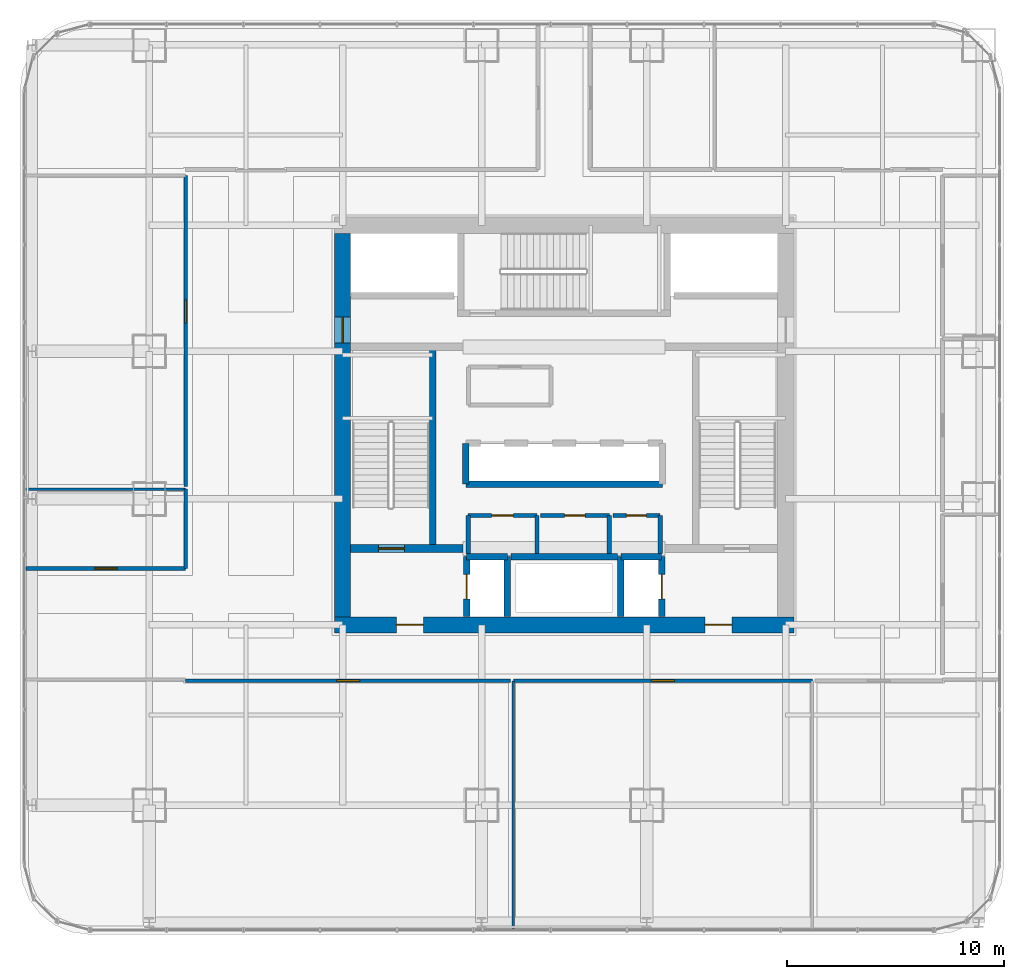
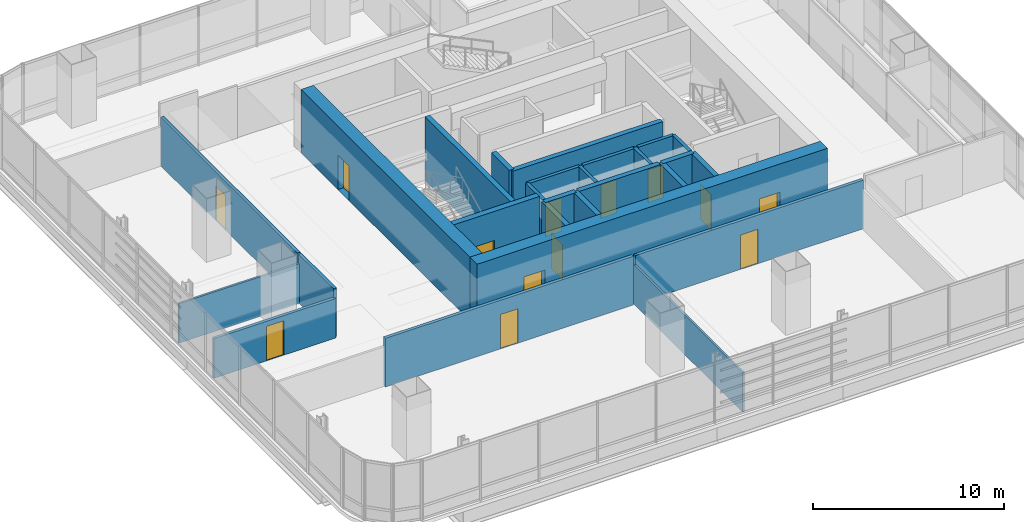
# One storey, part 28 of 36: 27 walls, 13 doors, 13 openings.
"""IFC4 building model written with IfcOpenShell, lengths in metres."""

from ifc_helpers import new_model, si_unit, direction, frame, frame_2d, origin, place, context, subcontext, project, spatial, rectangle, extrude, material, layer, layer_set, type_object, element, fill, save


model = new_model("IFC4")

# Units and contexts
model_context = context("Model", 3, precision=1e-05, world=origin(), true_north=direction((0.0, 1.0)))
body_context = subcontext(model_context, "Body", "Model", "MODEL_VIEW")
ifc_project = project(units=[si_unit("LENGTHUNIT", "METRE"), si_unit("AREAUNIT", "SQUARE_METRE"), si_unit("VOLUMEUNIT", "CUBIC_METRE"), si_unit("PLANEANGLEUNIT", "RADIAN"), si_unit("MASSUNIT", "GRAM", prefix="KILO")], contexts=[model_context])

# Site, building, storey
site_placement = place(None, origin())
site = spatial("IfcSite", under=ifc_project, at=site_placement, CompositionType="ELEMENT")
building_placement = place(site_placement, origin())
building = spatial("IfcBuilding", under=site, at=building_placement, Name="Punatoya Terracotta Tower", CompositionType="ELEMENT")
storey_placement = place(building_placement, frame((0.0, 0.0, 36.300048828125)))
storey = spatial("IfcBuildingStorey", under=building, at=storey_placement, Name="L07", CompositionType="ELEMENT", Elevation=36.300048828125)

# Wall, openings, doors
ifc_material_1 = material(Name="Concrete C60/75", Category="concrete")
ifc_layer_1 = layer(ifc_material_1, 0.75)
ifc_layer_set_1 = layer_set([ifc_layer_1], Name="Concrete C60/75")
wall_type_1 = type_object("IfcWallType", Name="WL-COR-750", PredefinedType="SHEAR", material=ifc_layer_set_1)
wall_1_placement = place(storey_placement, frame((10.574951171875, -9.199951171875, 0.0), z_axis=(0.0, 0.0, 1.0), x_axis=(-1.0, 0.0, 0.0)))
wall_1 = element("IfcWall", 1, at=wall_1_placement, inside=storey, type_object=wall_type_1, Name="L07 Core Shear Wall S", PredefinedType="SHEAR", context=body_context, shape_type="SweptSolid", body=[
    extrude(rectangle(XDim=21.14990234375, YDim=0.75, at=frame_2d((10.574951171875, 0.0))), origin(), (0.0, 0.0, 1.0), 4.050048828125),
])
opening_1_placement = place(wall_1_placement, frame((2.85009765625, 0.0, 0.0)))
opening_1 = element("IfcOpeningElement", 2, at=opening_1_placement, cuts=wall_1, Name="Opening FD-L1", PredefinedType="OPENING", context=body_context, shape_type="SweptSolid", body=[
    extrude(rectangle(XDim=1.25, YDim=2.25, at=frame_2d((0.625, 1.125))), frame((0.0, 0.385009765625, 0.0), z_axis=(0.0, -1.0, 0.0), x_axis=(1.0, 0.0, 0.0)), (0.0, 0.0, 1.0), 0.77001953125),
])
opening_2_placement = place(wall_1_placement, frame((17.050048828125, 0.0, 0.0)))
opening_2 = element("IfcOpeningElement", 3, at=opening_2_placement, cuts=wall_1, Name="Opening FD-L1", PredefinedType="OPENING", context=body_context, shape_type="SweptSolid", body=[
    extrude(rectangle(XDim=1.25, YDim=2.25, at=frame_2d((0.625, 1.125))), frame((0.0, 0.385009765625, 0.0), z_axis=(0.0, -1.0, 0.0), x_axis=(1.0, 0.0, 0.0)), (0.0, 0.0, 1.0), 0.77001953125),
])
ifc_material_2 = material(Name="Galvanised Steel Smokeproof Fire Door", Category="steel")
door_type_1 = type_object("IfcDoorType", Name="DR-FFL-1250", OperationType="NOTDEFINED", PredefinedType="DOOR", material=ifc_material_2)
door_1_placement = place(opening_1_placement, origin())
door_1 = element("IfcDoor", 4, at=door_1_placement, inside=storey, type_object=door_type_1, Name="L07 East Firefighting Lobby Corridor Fire Door", OperationType="SINGLE_SWING_LEFT", OverallHeight=2.25, OverallWidth=1.25, PredefinedType="DOOR", context=body_context, shape_type="SweptSolid", body=[
    extrude(rectangle(XDim=1.25, YDim=2.25, at=frame_2d((0.625, 1.125))), frame((0.0, 0.02490234375, 0.0), z_axis=(0.0, -1.0, 0.0), x_axis=(1.0, 0.0, 0.0)), (0.0, 0.0, 1.0), 0.050048828125),
])
fill(opening_1, door_1)
door_2_placement = place(opening_2_placement, origin())
door_2 = element("IfcDoor", 5, at=door_2_placement, inside=storey, type_object=door_type_1, Name="L07 West Firefighting Lobby Corridor Fire Door", OperationType="SINGLE_SWING_RIGHT", OverallHeight=2.25, OverallWidth=1.25, PredefinedType="DOOR", context=body_context, shape_type="SweptSolid", body=[
    extrude(rectangle(XDim=1.25, YDim=2.25, at=frame_2d((0.625, 1.125))), frame((0.0, 0.02490234375, 0.0), z_axis=(0.0, -1.0, 0.0), x_axis=(1.0, 0.0, 0.0)), (0.0, 0.0, 1.0), 0.050048828125),
])
fill(opening_2, door_2)

# Wall, opening, door
wall_2_placement = place(storey_placement, frame((-10.199951171875, -8.824951171875, 0.0), z_axis=(0.0, 0.0, 1.0), x_axis=(0.0, 1.0, 0.0)))
wall_2 = element("IfcWall", 6, at=wall_2_placement, inside=storey, type_object=wall_type_1, Name="L07 Core Shear Wall W", PredefinedType="SHEAR", context=body_context, shape_type="SweptSolid", body=[
    extrude(rectangle(XDim=17.64990234375, YDim=0.75, at=frame_2d((8.824951171875, 0.0))), origin(), (0.0, 0.0, 1.0), 4.050048828125),
])
opening_3_placement = place(wall_2_placement, frame((12.614990234375, 0.0, 0.0)))
opening_3 = element("IfcOpeningElement", 7, at=opening_3_placement, cuts=wall_2, Name="Opening SD-01", PredefinedType="OPENING", context=body_context, shape_type="SweptSolid", body=[
    extrude(rectangle(XDim=1.179931640625, YDim=2.199951171875, at=frame_2d((0.58984375, 1.10009765625))), frame((0.0, 0.385009765625, 0.0), z_axis=(0.0, -1.0, 0.0), x_axis=(1.0, 0.0, 0.0)), (0.0, 0.0, 1.0), 0.77001953125),
])
ifc_material_3 = material(Name="Galvanised Steel Pressurized Stair Fire Door", Category="steel")
door_type_2 = type_object("IfcDoorType", Name="DR-STR-1180", OperationType="NOTDEFINED", PredefinedType="DOOR", material=ifc_material_3)
door_3_placement = place(opening_3_placement, origin())
door_3 = element("IfcDoor", 8, at=door_3_placement, inside=storey, type_object=door_type_2, Name="L07 Central Lift Lobby West Fire Door", OperationType="SINGLE_SWING_LEFT", OverallHeight=2.199951171875, OverallWidth=1.179931640625, PredefinedType="DOOR", context=body_context, shape_type="SweptSolid", body=[
    extrude(rectangle(XDim=1.179931640625, YDim=2.199951171875, at=frame_2d((0.58984375, 1.10009765625))), frame((0.0, 0.02490234375, 0.0), z_axis=(0.0, -1.0, 0.0), x_axis=(1.0, 0.0, 0.0)), (0.0, 0.0, 1.0), 0.050048828125),
])
fill(opening_3, door_3)

ifc_material_4 = material(Name="Gypsum Fireboard + Steel Stud", Category="steel")
ifc_layer_2 = layer(ifc_material_4, 0.179931640625)
ifc_layer_set_2 = layer_set([ifc_layer_2], Name="Gypsum Fireboard + Steel Stud")
wall_type_2 = type_object("IfcWallType", Name="WL-CORR-180", PredefinedType="PARTITIONING", material=ifc_layer_set_2)
wall_3_placement = place(storey_placement, frame((-2.340087890625, -11.77001953125, 0.0), z_axis=(0.0, 0.0, 1.0), x_axis=(1.0, 0.0, 0.0)))
wall_3 = element("IfcWall", 9, at=wall_3_placement, inside=storey, type_object=wall_type_2, Name="L07 Open Workplace Studio Partition 14", PredefinedType="PARTITIONING", context=body_context, shape_type="SweptSolid", body=[
    extrude(rectangle(XDim=13.77001953125, YDim=0.179931640625, at=frame_2d((6.885009765625, 0.0))), origin(), (0.0, 0.0, 1.0), 3.10400390625),
])
opening_4_placement = place(wall_3_placement, frame((6.360107421875, 0.0, 0.0)))
opening_4 = element("IfcOpeningElement", 10, at=opening_4_placement, cuts=wall_3, Name="Opening OD-01", PredefinedType="OPENING", context=body_context, shape_type="SweptSolid", body=[
    extrude(rectangle(XDim=1.050048828125, YDim=2.199951171875, at=frame_2d((0.52490234375, 1.10009765625))), frame((0.0, 0.099853515625, 0.0), z_axis=(0.0, -1.0, 0.0), x_axis=(1.0, 0.0, 0.0)), (0.0, 0.0, 1.0), 0.199951171875),
])
ifc_material_5 = material(Name="Bengal Teak Solid-Core Leaf")
door_type_3 = type_object("IfcDoorType", Name="DR-OFF-1050", OperationType="NOTDEFINED", PredefinedType="DOOR", material=ifc_material_5)
door_4_placement = place(opening_4_placement, origin())
door_4 = element("IfcDoor", 11, at=door_4_placement, inside=storey, type_object=door_type_3, Name="L07 Open Workplace Studio Door", OperationType="SINGLE_SWING_RIGHT", OverallHeight=2.199951171875, OverallWidth=1.050048828125, PredefinedType="DOOR", context=body_context, shape_type="SweptSolid", body=[
    extrude(rectangle(XDim=1.050048828125, YDim=2.199951171875, at=frame_2d((0.52490234375, 1.10009765625))), frame((0.0, 0.02490234375, 0.0), z_axis=(0.0, -1.0, 0.0), x_axis=(1.0, 0.0, 0.0)), (0.0, 0.0, 1.0), 0.050048828125),
])
fill(opening_4, door_4)

wall_4_placement = place(storey_placement, frame((-17.419921875, -11.77001953125, 0.0), z_axis=(0.0, 0.0, 1.0), x_axis=(1.0, 0.0, 0.0)))
wall_4 = element("IfcWall", 12, at=wall_4_placement, inside=storey, type_object=wall_type_2, Name="L07 Analytical Practice Office Partition 15", PredefinedType="PARTITIONING", context=body_context, shape_type="SweptSolid", body=[
    extrude(rectangle(XDim=14.9599609375, YDim=0.179931640625, at=frame_2d((7.47998046875, 0.0))), origin(), (0.0, 0.0, 1.0), 3.10400390625),
])
opening_5_placement = place(wall_4_placement, frame((6.955078125, 0.0, 0.0)))
opening_5 = element("IfcOpeningElement", 13, at=opening_5_placement, cuts=wall_4, Name="Opening OD-01", PredefinedType="OPENING", context=body_context, shape_type="SweptSolid", body=[
    extrude(rectangle(XDim=1.050048828125, YDim=2.199951171875, at=frame_2d((0.52490234375, 1.10009765625))), frame((0.0, 0.099853515625, 0.0), z_axis=(0.0, -1.0, 0.0), x_axis=(1.0, 0.0, 0.0)), (0.0, 0.0, 1.0), 0.199951171875),
])
door_5_placement = place(opening_5_placement, origin())
door_5 = element("IfcDoor", 14, at=door_5_placement, inside=storey, type_object=door_type_3, Name="L07 Analytical Practice Office Door", OperationType="SINGLE_SWING_LEFT", OverallHeight=2.199951171875, OverallWidth=1.050048828125, PredefinedType="DOOR", context=body_context, shape_type="SweptSolid", body=[
    extrude(rectangle(XDim=1.050048828125, YDim=2.199951171875, at=frame_2d((0.52490234375, 1.10009765625))), frame((0.0, 0.02490234375, 0.0), z_axis=(0.0, -1.0, 0.0), x_axis=(1.0, 0.0, 0.0)), (0.0, 0.0, 1.0), 0.050048828125),
])
fill(opening_5, door_5)

wall_5_placement = place(storey_placement, frame((-17.419921875, -6.60009765625, 0.0), z_axis=(0.0, 0.0, 1.0), x_axis=(-1.0, 0.0, 0.0)))
wall_5 = element("IfcWall", 15, at=wall_5_placement, inside=storey, type_object=wall_type_2, Name="L07 Open-Plan Digital Reference Library Partition 21", PredefinedType="PARTITIONING", context=body_context, shape_type="SweptSolid", body=[
    extrude(rectangle(XDim=7.35009765625, YDim=0.179931640625, at=frame_2d((3.675048828125, 0.0))), origin(), (0.0, 0.0, 1.0), 2.52392578125),
])
opening_6_placement = place(wall_5_placement, frame((3.14990234375, 0.0, 0.0)))
opening_6 = element("IfcOpeningElement", 16, at=opening_6_placement, cuts=wall_5, Name="Opening OD-01", PredefinedType="OPENING", context=body_context, shape_type="SweptSolid", body=[
    extrude(rectangle(XDim=1.050048828125, YDim=2.199951171875, at=frame_2d((0.52490234375, 1.10009765625))), frame((0.0, 0.099853515625, 0.0), z_axis=(0.0, -1.0, 0.0), x_axis=(1.0, 0.0, 0.0)), (0.0, 0.0, 1.0), 0.199951171875),
])
door_6_placement = place(opening_6_placement, origin())
door_6 = element("IfcDoor", 17, at=door_6_placement, inside=storey, type_object=door_type_3, Name="L07 Open-Plan Digital Reference Library Door", OperationType="SINGLE_SWING_RIGHT", OverallHeight=2.199951171875, OverallWidth=1.050048828125, PredefinedType="DOOR", context=body_context, shape_type="SweptSolid", body=[
    extrude(rectangle(XDim=1.050048828125, YDim=2.199951171875, at=frame_2d((0.52490234375, 1.10009765625))), frame((0.0, 0.02490234375, 0.0), z_axis=(0.0, -1.0, 0.0), x_axis=(1.0, 0.0, 0.0)), (0.0, 0.0, 1.0), 0.050048828125),
])
fill(opening_6, door_6)

# Wall
wall_6_placement = place(storey_placement, frame((-17.419921875, -2.947998046875, 0.0), z_axis=(0.0, 0.0, 1.0), x_axis=(0.0, -1.0, 0.0)))
element("IfcWall", 18, at=wall_6_placement, inside=storey, type_object=wall_type_2, Name="L07 Open-Plan Digital Reference Library Partition 23", PredefinedType="PARTITIONING", context=body_context, shape_type="SweptSolid", body=[
    extrude(rectangle(XDim=3.652099609375, YDim=0.179931640625, at=frame_2d((1.826171875, 0.0))), origin(), (0.0, 0.0, 1.0), 3.10400390625),
])

# Wall, opening, door
wall_7_placement = place(storey_placement, frame((-17.419921875, 11.489990234375, 0.0), z_axis=(0.0, 0.0, 1.0), x_axis=(0.0, -1.0, 0.0)))
wall_7 = element("IfcWall", 19, at=wall_7_placement, inside=storey, type_object=wall_type_2, Name="L07 Open-Plan Wellness Quiet Room Partition 27", PredefinedType="PARTITIONING", context=body_context, shape_type="SweptSolid", body=[
    extrude(rectangle(XDim=14.31787109375, YDim=0.179931640625, at=frame_2d((7.158935546875, 0.0))), origin(), (0.0, 0.0, 1.0), 3.10400390625),
])
opening_7_placement = place(wall_7_placement, frame((5.73388671875, 0.0, 0.0)))
opening_7 = element("IfcOpeningElement", 20, at=opening_7_placement, cuts=wall_7, Name="Opening OD-01", PredefinedType="OPENING", context=body_context, shape_type="SweptSolid", body=[
    extrude(rectangle(XDim=1.050048828125, YDim=2.199951171875, at=frame_2d((0.52490234375, 1.10009765625))), frame((0.0, 0.099853515625, 0.0), z_axis=(0.0, -1.0, 0.0), x_axis=(1.0, 0.0, 0.0)), (0.0, 0.0, 1.0), 0.199951171875),
])
door_7_placement = place(opening_7_placement, origin())
door_7 = element("IfcDoor", 21, at=door_7_placement, inside=storey, type_object=door_type_3, Name="L07 Open-Plan Wellness Quiet Room Door", OperationType="SINGLE_SWING_RIGHT", OverallHeight=2.199951171875, OverallWidth=1.050048828125, PredefinedType="DOOR", context=body_context, shape_type="SweptSolid", body=[
    extrude(rectangle(XDim=1.050048828125, YDim=2.199951171875, at=frame_2d((0.52490234375, 1.10009765625))), frame((0.0, 0.02490234375, 0.0), z_axis=(0.0, -1.0, 0.0), x_axis=(1.0, 0.0, 0.0)), (0.0, 0.0, 1.0), 0.050048828125),
])
fill(opening_7, door_7)

# Wall
ifc_material_6 = material(Name="Concrete C40/50", Category="concrete")
ifc_layer_3 = layer(ifc_material_6, 0.199951171875)
ifc_layer_set_3 = layer_set([ifc_layer_3], Name="Concrete C40/50")
wall_type_3 = type_object("IfcWallType", Name="WL-INT-200", PredefinedType="SOLIDWALL", material=ifc_layer_set_3)
wall_8_placement = place(storey_placement, frame((-1.25, -5.89990234375, 0.0), z_axis=(0.0, 0.0, 1.0), x_axis=(0.0, 1.0, 0.0)))
element("IfcWall", 22, at=wall_8_placement, inside=storey, type_object=wall_type_3, Name="L07 Accessible Universal Washroom Partition 01", PredefinedType="SOLIDWALL", context=body_context, shape_type="SweptSolid", body=[
    extrude(rectangle(XDim=1.739990234375, YDim=0.199951171875, at=frame_2d((0.8701171875, 0.0))), origin(), (0.0, 0.0, 1.0), 3.81005859375),
])

# Wall, opening, door
wall_9_placement = place(storey_placement, frame((-1.25, -4.159912109375, 0.0), z_axis=(0.0, 0.0, 1.0), x_axis=(-1.0, 0.0, 0.0)))
wall_9 = element("IfcWall", 23, at=wall_9_placement, inside=storey, type_object=wall_type_3, Name="L07 Accessible Universal Washroom Partition 02", PredefinedType="SOLIDWALL", context=body_context, shape_type="SweptSolid", body=[
    extrude(rectangle(XDim=3.169921875, YDim=0.199951171875, at=frame_2d((1.5849609375, 0.0))), origin(), (0.0, 0.0, 1.0), 3.81005859375),
])
opening_8_placement = place(wall_9_placement, frame((1.0849609375, 0.0, 0.0)))
opening_8 = element("IfcOpeningElement", 24, at=opening_8_placement, cuts=wall_9, Name="Opening AWD-1", PredefinedType="OPENING", context=body_context, shape_type="SweptSolid", body=[
    extrude(rectangle(XDim=1.0, YDim=2.14990234375, at=frame_2d((0.5, 1.074951171875))), frame((0.0, 0.10986328125, 0.0), z_axis=(0.0, -1.0, 0.0), x_axis=(1.0, 0.0, 0.0)), (0.0, 0.0, 1.0), 0.219970703125),
])
ifc_material_7 = material(Name="Bengal Teak Accessible WC Leaf")
door_type_4 = type_object("IfcDoorType", Name="DR-ACC-1000", OperationType="NOTDEFINED", PredefinedType="DOOR", material=ifc_material_7)
door_8_placement = place(opening_8_placement, origin())
door_8 = element("IfcDoor", 25, at=door_8_placement, inside=storey, type_object=door_type_4, Name="L07 Accessible Universal Washroom Door", OperationType="SINGLE_SWING_RIGHT", OverallHeight=2.14990234375, OverallWidth=1.0, PredefinedType="DOOR", context=body_context, shape_type="SweptSolid", body=[
    extrude(rectangle(XDim=1.0, YDim=2.14990234375, at=frame_2d((0.5, 1.074951171875))), frame((0.0, 0.02490234375, 0.0), z_axis=(0.0, -1.0, 0.0), x_axis=(1.0, 0.0, 0.0)), (0.0, 0.0, 1.0), 0.050048828125),
])
fill(opening_8, door_8)

# Walls
for number, where, z_axis, x_axis, name in (
    (26, (-4.419921875, -4.159912109375, 0.0), (0.0, 0.0, 1.0), (0.0, -1.0, 0.0), "L07 Accessible Universal Washroom Partition 03"),
    (27, (2.080078125, -5.89990234375, 0.0), (0.0, 0.0, 1.0), (0.0, 1.0, 0.0), "L07 All-Gender Universal Washroom Partition 04"),
):
    element("IfcWall", number, at=place(storey_placement, frame(where, z_axis=z_axis, x_axis=x_axis)), inside=storey, type_object=wall_type_3, Name=name, PredefinedType="SOLIDWALL", context=body_context, shape_type="SweptSolid", body=[
        extrude(rectangle(XDim=1.739990234375, YDim=0.199951171875, at=frame_2d((0.8701171875, 0.0))), origin(), (0.0, 0.0, 1.0), 3.81005859375),
    ])

# Wall, opening, door
wall_10_placement = place(storey_placement, frame((2.080078125, -4.159912109375, 0.0), z_axis=(0.0, 0.0, 1.0), x_axis=(-1.0, 0.0, 0.0)))
wall_10 = element("IfcWall", 28, at=wall_10_placement, inside=storey, type_object=wall_type_3, Name="L07 All-Gender Universal Washroom Partition 05", PredefinedType="SOLIDWALL", context=body_context, shape_type="SweptSolid", body=[
    extrude(rectangle(XDim=3.170166015625, YDim=0.199951171875, at=frame_2d((1.5849609375, 0.0))), origin(), (0.0, 0.0, 1.0), 3.81005859375),
])
opening_9_placement = place(wall_10_placement, frame((1.110107421875, 0.0, 0.0)))
opening_9 = element("IfcOpeningElement", 29, at=opening_9_placement, cuts=wall_10, Name="Opening WD-01", PredefinedType="OPENING", context=body_context, shape_type="SweptSolid", body=[
    extrude(rectangle(XDim=0.949951171875, YDim=2.14990234375, at=frame_2d((0.47509765625, 1.074951171875))), frame((0.0, 0.10986328125, 0.0), z_axis=(0.0, -1.0, 0.0), x_axis=(1.0, 0.0, 0.0)), (0.0, 0.0, 1.0), 0.219970703125),
])
ifc_material_8 = material(Name="Moisture-Resistant Laminate Timber Leaf", Category="wood")
door_type_5 = type_object("IfcDoorType", Name="DR-WC-950", OperationType="NOTDEFINED", PredefinedType="DOOR", material=ifc_material_8)
door_9_placement = place(opening_9_placement, origin())
door_9 = element("IfcDoor", 30, at=door_9_placement, inside=storey, type_object=door_type_5, Name="L07 All-Gender Universal Washroom Door", OperationType="SINGLE_SWING_LEFT", OverallHeight=2.14990234375, OverallWidth=0.949951171875, PredefinedType="DOOR", context=body_context, shape_type="SweptSolid", body=[
    extrude(rectangle(XDim=0.949951171875, YDim=2.14990234375, at=frame_2d((0.47509765625, 1.074951171875))), frame((0.0, 0.02490234375, 0.0), z_axis=(0.0, -1.0, 0.0), x_axis=(1.0, 0.0, 0.0)), (0.0, 0.0, 1.0), 0.050048828125),
])
fill(opening_9, door_9)

# Wall
wall_11_placement = place(storey_placement, frame((4.419921875, -5.89990234375, 0.0), z_axis=(0.0, 0.0, 1.0), x_axis=(0.0, 1.0, 0.0)))
element("IfcWall", 31, at=wall_11_placement, inside=storey, type_object=wall_type_3, Name="L07 Core Electrical Switchgear Room Partition 06", PredefinedType="SOLIDWALL", context=body_context, shape_type="SweptSolid", body=[
    extrude(rectangle(XDim=1.739990234375, YDim=0.199951171875, at=frame_2d((0.8701171875, 0.0))), origin(), (0.0, 0.0, 1.0), 3.81005859375),
])

# Wall, opening, door
wall_12_placement = place(storey_placement, frame((4.419921875, -4.159912109375, 0.0), z_axis=(0.0, 0.0, 1.0), x_axis=(-1.0, 0.0, 0.0)))
wall_12 = element("IfcWall", 32, at=wall_12_placement, inside=storey, type_object=wall_type_3, Name="L07 Core Electrical Switchgear Room Partition 07", PredefinedType="SOLIDWALL", context=body_context, shape_type="SweptSolid", body=[
    extrude(rectangle(XDim=2.179931640625, YDim=0.199951171875, at=frame_2d((1.08984375, 0.0))), origin(), (0.0, 0.0, 1.0), 3.81005859375),
])
opening_10_placement = place(wall_12_placement, frame((0.6298828125, 0.0, 0.0)))
opening_10 = element("IfcOpeningElement", 33, at=opening_10_placement, cuts=wall_12, Name="Opening FD-R1", PredefinedType="OPENING", context=body_context, shape_type="SweptSolid", body=[
    extrude(rectangle(XDim=0.919921875, YDim=2.10009765625, at=frame_2d((0.4599609375, 1.050048828125))), frame((0.0, 0.10986328125, 0.0), z_axis=(0.0, -1.0, 0.0), x_axis=(1.0, 0.0, 0.0)), (0.0, 0.0, 1.0), 0.219970703125),
])
ifc_material_9 = material(Name="Galvanised Steel Riser Fire Access Door", Category="steel")
door_type_6 = type_object("IfcDoorType", Name="DR-RSR-920", OperationType="NOTDEFINED", PredefinedType="DOOR", material=ifc_material_9)
door_10_placement = place(opening_10_placement, origin())
door_10 = element("IfcDoor", 34, at=door_10_placement, inside=storey, type_object=door_type_6, Name="L07 Core Electrical Switchgear Room Fire Door", OperationType="SINGLE_SWING_RIGHT", OverallHeight=2.10009765625, OverallWidth=0.919921875, PredefinedType="DOOR", context=body_context, shape_type="SweptSolid", body=[
    extrude(rectangle(XDim=0.919921875, YDim=2.10009765625, at=frame_2d((0.4599609375, 1.050048828125))), frame((0.0, 0.02490234375, 0.0), z_axis=(0.0, -1.0, 0.0), x_axis=(1.0, 0.0, 0.0)), (0.0, 0.0, 1.0), 0.050048828125),
])
fill(opening_10, door_10)

# Walls
ifc_material_10 = material(Name="Gypsum Partition + Steel Stud", Category="steel")
ifc_layer_4 = layer(ifc_material_10, 0.1201171875)
ifc_layer_set_4 = layer_set([ifc_layer_4], Name="Gypsum Partition + Steel Stud")
wall_type_4 = type_object("IfcWallType", Name="WL-OFF-120", PredefinedType="PARTITIONING", material=ifc_layer_set_4)
wall_13_placement = place(storey_placement, frame((-2.340087890625, -23.169921875, 0.0), z_axis=(0.0, 0.0, 1.0), x_axis=(0.0, 1.0, 0.0)))
element("IfcWall", 35, at=wall_13_placement, inside=storey, type_object=wall_type_4, Name="L07 Open Workplace Studio Partition 13", PredefinedType="PARTITIONING", context=body_context, shape_type="SweptSolid", body=[
    extrude(rectangle(XDim=11.39990234375, YDim=0.1201171875, at=frame_2d((5.699951171875, 0.0))), origin(), (0.0, 0.0, 1.0), 2.52392578125),
])
wall_14_placement = place(storey_placement, frame((-24.77001953125, -2.947998046875, 0.0), z_axis=(0.0, 0.0, 1.0), x_axis=(1.0, 0.0, 0.0)))
element("IfcWall", 36, at=wall_14_placement, inside=storey, type_object=wall_type_4, Name="L07 Open-Plan Digital Reference Library Partition 22", PredefinedType="PARTITIONING", context=body_context, shape_type="SweptSolid", body=[
    extrude(rectangle(XDim=7.35009765625, YDim=0.1201171875, at=frame_2d((3.675048828125, 0.0))), origin(), (0.0, 0.0, 1.0), 2.52392578125),
])
ifc_layer_5 = layer(ifc_material_6, 0.300048828125)
ifc_layer_set_5 = layer_set([ifc_layer_5], Name="Concrete C40/50")
wall_type_5 = type_object("IfcWallType", Name="WL-SHF-300", PredefinedType="SOLIDWALL", material=ifc_layer_set_5)
wall_15_placement = place(storey_placement, frame((-6.050048828125, -5.5, 0.0), z_axis=(0.0, 0.0, 1.0), x_axis=(0.0, 1.0, 0.0)))
element("IfcWall", 37, at=wall_15_placement, inside=storey, type_object=wall_type_5, Name="L07 Structural Stair Shaft Wall SW-ST1-E", PredefinedType="SOLIDWALL", context=body_context, shape_type="SweptSolid", body=[
    extrude(rectangle(XDim=8.949951171875, YDim=0.300048828125, at=frame_2d((4.47509765625, 0.0))), origin(), (0.0, 0.0, 1.0), 4.050048828125),
])

# Wall, opening, door
wall_16_placement = place(storey_placement, frame((-4.489990234375, -8.820068359375, 0.0), z_axis=(0.0, 0.0, 1.0), x_axis=(0.0, 1.0, 0.0)))
wall_16 = element("IfcWall", 38, at=wall_16_placement, inside=storey, type_object=wall_type_5, Name="L07 FFL-1 Front Hoistway Wall", PredefinedType="SOLIDWALL", context=body_context, shape_type="SweptSolid", body=[
    extrude(rectangle(XDim=2.77001953125, YDim=0.300048828125, at=frame_2d((1.385009765625, 0.0))), origin(), (0.0, 0.0, 1.0), 3.81005859375),
])
opening_11_placement = place(wall_16_placement, frame((0.824951171875, 0.0, 0.0)))
opening_11 = element("IfcOpeningElement", 39, at=opening_11_placement, cuts=wall_16, Name="Opening LD-02", PredefinedType="OPENING", context=body_context, shape_type="SweptSolid", body=[
    extrude(rectangle(XDim=1.1201171875, YDim=2.25, at=frame_2d((0.56005859375, 1.125))), frame((0.0, 0.159912109375, 0.0), z_axis=(0.0, -1.0, 0.0), x_axis=(1.0, 0.0, 0.0)), (0.0, 0.0, 1.0), 0.320068359375),
])
ifc_material_11 = material(Name="Stainless Steel Lift Landing Door", Category="steel")
door_type_7 = type_object("IfcDoorType", Name="DR-LND-1120", OperationType="NOTDEFINED", PredefinedType="DOOR", material=ifc_material_11)
door_11_placement = place(opening_11_placement, origin())
door_11 = element("IfcDoor", 40, at=door_11_placement, inside=storey, type_object=door_type_7, Name="L07 Firefighting Lift FFL-1 Sliding Landing Door", OperationType="SLIDING_TO_LEFT", OverallHeight=2.25, OverallWidth=1.1201171875, PredefinedType="DOOR", context=body_context, shape_type="SweptSolid", body=[
    extrude(rectangle(XDim=1.1201171875, YDim=2.25, at=frame_2d((0.56005859375, 1.125))), frame((0.0, 0.02490234375, 0.0), z_axis=(0.0, -1.0, 0.0), x_axis=(1.0, 0.0, 0.0)), (0.0, 0.0, 1.0), 0.050048828125),
])
fill(opening_11, door_11)

# Walls
wall_17_placement = place(storey_placement, frame((-2.610107421875, -8.820068359375, 0.0), z_axis=(0.0, 0.0, 1.0), x_axis=(0.0, 1.0, 0.0)))
element("IfcWall", 41, at=wall_17_placement, inside=storey, type_object=wall_type_5, Name="L07 FFL-1 Rear Hoistway Wall", PredefinedType="SOLIDWALL", context=body_context, shape_type="SweptSolid", body=[
    extrude(rectangle(XDim=2.77001953125, YDim=0.300048828125, at=frame_2d((1.385009765625, 0.0))), origin(), (0.0, 0.0, 1.0), 3.81005859375),
])
wall_18_placement = place(storey_placement, frame((-4.489990234375, -6.050048828125, 0.0), z_axis=(0.0, 0.0, 1.0), x_axis=(1.0, 0.0, 0.0)))
element("IfcWall", 42, at=wall_18_placement, inside=storey, type_object=wall_type_5, Name="L07 FFL-1 North Hoistway Wall", PredefinedType="SOLIDWALL", context=body_context, shape_type="SweptSolid", body=[
    extrude(rectangle(XDim=1.8798828125, YDim=0.300048828125, at=frame_2d((0.93994140625, 0.0))), origin(), (0.0, 0.0, 1.0), 3.81005859375),
])

# Wall, opening, door
wall_19_placement = place(storey_placement, frame((4.489990234375, -8.820068359375, 0.0), z_axis=(0.0, 0.0, 1.0), x_axis=(0.0, 1.0, 0.0)))
wall_19 = element("IfcWall", 43, at=wall_19_placement, inside=storey, type_object=wall_type_5, Name="L07 FFL-2 Front Hoistway Wall", PredefinedType="SOLIDWALL", context=body_context, shape_type="SweptSolid", body=[
    extrude(rectangle(XDim=2.77001953125, YDim=0.300048828125, at=frame_2d((1.385009765625, 0.0))), origin(), (0.0, 0.0, 1.0), 3.81005859375),
])
opening_12_placement = place(wall_19_placement, frame((0.824951171875, 0.0, 0.0)))
opening_12 = element("IfcOpeningElement", 44, at=opening_12_placement, cuts=wall_19, Name="Opening LD-02", PredefinedType="OPENING", context=body_context, shape_type="SweptSolid", body=[
    extrude(rectangle(XDim=1.1201171875, YDim=2.25, at=frame_2d((0.56005859375, 1.125))), frame((0.0, 0.159912109375, 0.0), z_axis=(0.0, -1.0, 0.0), x_axis=(1.0, 0.0, 0.0)), (0.0, 0.0, 1.0), 0.320068359375),
])
door_12_placement = place(opening_12_placement, origin())
door_12 = element("IfcDoor", 45, at=door_12_placement, inside=storey, type_object=door_type_7, Name="L07 Firefighting Lift FFL-2 Sliding Landing Door", OperationType="SLIDING_TO_RIGHT", OverallHeight=2.25, OverallWidth=1.1201171875, PredefinedType="DOOR", context=body_context, shape_type="SweptSolid", body=[
    extrude(rectangle(XDim=1.1201171875, YDim=2.25, at=frame_2d((0.56005859375, 1.125))), frame((0.0, 0.02490234375, 0.0), z_axis=(0.0, -1.0, 0.0), x_axis=(1.0, 0.0, 0.0)), (0.0, 0.0, 1.0), 0.050048828125),
])
fill(opening_12, door_12)

# Walls
wall_20_placement = place(storey_placement, frame((2.610107421875, -8.820068359375, 0.0), z_axis=(0.0, 0.0, 1.0), x_axis=(0.0, 1.0, 0.0)))
element("IfcWall", 46, at=wall_20_placement, inside=storey, type_object=wall_type_5, Name="L07 FFL-2 Rear Hoistway Wall", PredefinedType="SOLIDWALL", context=body_context, shape_type="SweptSolid", body=[
    extrude(rectangle(XDim=2.77001953125, YDim=0.300048828125, at=frame_2d((1.385009765625, 0.0))), origin(), (0.0, 0.0, 1.0), 3.81005859375),
])
wall_21_placement = place(storey_placement, frame((2.610107421875, -6.050048828125, 0.0), z_axis=(0.0, 0.0, 1.0), x_axis=(1.0, 0.0, 0.0)))
element("IfcWall", 47, at=wall_21_placement, inside=storey, type_object=wall_type_5, Name="L07 FFL-2 North Hoistway Wall", PredefinedType="SOLIDWALL", context=body_context, shape_type="SweptSolid", body=[
    extrude(rectangle(XDim=1.8798828125, YDim=0.300048828125, at=frame_2d((0.93994140625, 0.0))), origin(), (0.0, 0.0, 1.0), 3.81005859375),
])
wall_22_placement = place(storey_placement, frame((-4.52001953125, -2.719970703125, 0.0), z_axis=(0.0, 0.0, 1.0), x_axis=(1.0, 0.0, 0.0)))
element("IfcWall", 48, at=wall_22_placement, inside=storey, type_object=wall_type_5, Name="L07 South Lift Bank Rear Shaft Wall", PredefinedType="SOLIDWALL", context=body_context, shape_type="SweptSolid", body=[
    extrude(rectangle(XDim=9.0400390625, YDim=0.300048828125, at=frame_2d((4.52001953125, 0.0))), origin(), (0.0, 0.0, 1.0), 3.81005859375),
])
wall_23_placement = place(storey_placement, frame((-4.52001953125, -2.719970703125, 0.0), z_axis=(0.0, 0.0, 1.0), x_axis=(0.0, 1.0, 0.0)))
element("IfcWall", 49, at=wall_23_placement, inside=storey, type_object=wall_type_5, Name="L07 South Lift Bank West End Wall", PredefinedType="SOLIDWALL", context=body_context, shape_type="SweptSolid", body=[
    extrude(rectangle(XDim=1.8798828125, YDim=0.300048828125, at=frame_2d((0.93994140625, 0.0))), origin(), (0.0, 0.0, 1.0), 3.81005859375),
])
wall_24_placement = place(storey_placement, frame((-2.449951171875, -6.050048828125, 0.0), z_axis=(0.0, 0.0, 1.0), x_axis=(1.0, 0.0, 0.0)))
element("IfcWall", 50, at=wall_24_placement, inside=storey, type_object=wall_type_5, Name="L07 Observation Shuttle Rear Hoistway Wall", PredefinedType="SOLIDWALL", context=body_context, shape_type="SweptSolid", body=[
    extrude(rectangle(XDim=4.89990234375, YDim=0.300048828125, at=frame_2d((2.449951171875, 0.0))), origin(), (0.0, 0.0, 1.0), 3.81005859375),
])

# Wall, opening, door
ifc_material_12 = material(Name="Concrete C50/60", Category="concrete")
ifc_layer_6 = layer(ifc_material_12, 0.35009765625)
ifc_layer_set_6 = layer_set([ifc_layer_6], Name="Concrete C50/60")
wall_type_6 = type_object("IfcWallType", Name="WL-SHF-350", PredefinedType="SOLIDWALL", material=ifc_layer_set_6)
wall_25_placement = place(storey_placement, frame((-9.824951171875, -5.679931640625, 0.0), z_axis=(0.0, 0.0, 1.0), x_axis=(1.0, 0.0, 0.0)))
wall_25 = element("IfcWall", 51, at=wall_25_placement, inside=storey, type_object=wall_type_6, Name="L07 Core Web Wall CSW-L", PredefinedType="SOLIDWALL", context=body_context, shape_type="SweptSolid", body=[
    extrude(rectangle(XDim=5.175048828125, YDim=0.35009765625, at=frame_2d((2.58740234375, 0.0))), origin(), (0.0, 0.0, 1.0), 4.050048828125),
])
opening_13_placement = place(wall_25_placement, frame((1.284912109375, 0.0, 0.0)))
opening_13 = element("IfcOpeningElement", 52, at=opening_13_placement, cuts=wall_25, Name="Opening SD-01", PredefinedType="OPENING", context=body_context, shape_type="SweptSolid", body=[
    extrude(rectangle(XDim=1.179931640625, YDim=2.199951171875, at=frame_2d((0.58984375, 1.10009765625))), frame((0.0, 0.18505859375, 0.0), z_axis=(0.0, -1.0, 0.0), x_axis=(1.0, 0.0, 0.0)), (0.0, 0.0, 1.0), 0.3701171875),
])
door_13_placement = place(opening_13_placement, origin())
door_13 = element("IfcDoor", 53, at=door_13_placement, inside=storey, type_object=door_type_2, Name="L07 Stair ST-1 Smokeproof Lobby Fire Door", OperationType="SINGLE_SWING_LEFT", OverallHeight=2.199951171875, OverallWidth=1.179931640625, PredefinedType="DOOR", context=body_context, shape_type="SweptSolid", body=[
    extrude(rectangle(XDim=1.179931640625, YDim=2.199951171875, at=frame_2d((0.58984375, 1.10009765625))), frame((0.0, 0.02490234375, 0.0), z_axis=(0.0, -1.0, 0.0), x_axis=(1.0, 0.0, 0.0)), (0.0, 0.0, 1.0), 0.050048828125),
])
fill(opening_13, door_13)

save(model, "model.ifc")
